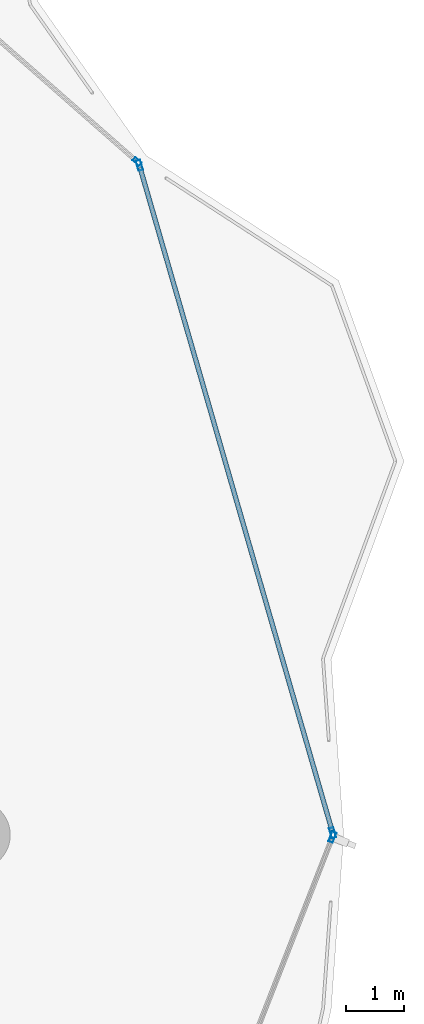
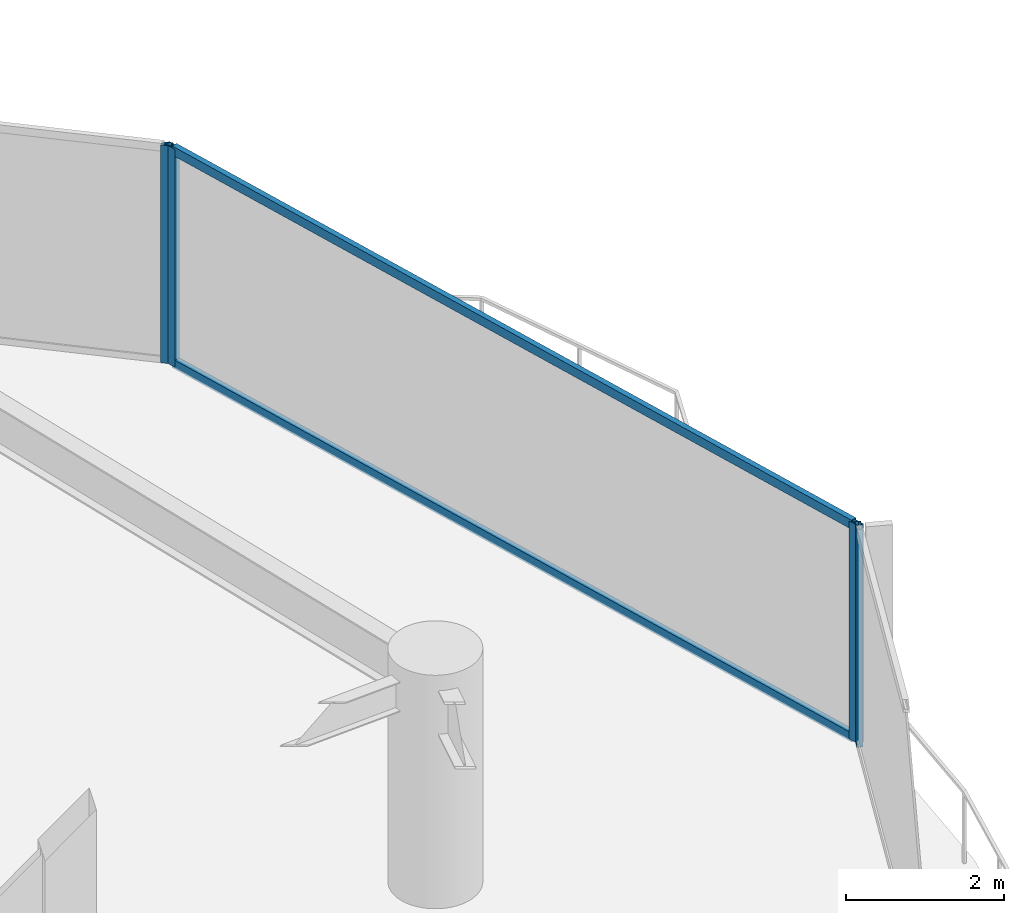
# One storey, part 24 of 34: 6 members, 3 elements without a shape of their own.
"""IFC4 building model written with IfcOpenShell, lengths in metres."""

from ifc_helpers import new_model, si_unit, direction, frame, origin, origin_2d, place, context, subcontext, project, spatial, hollow_rectangle, extrude, material, layer, layer_set, material_profile, profile_set, type_object, element, aggregate, save


model = new_model("IFC4")

# Units and contexts
model_context = context("Model", 3, precision=1e-05, world=origin(), true_north=direction((0.0, 1.0)))
body_context = subcontext(model_context, "Body", "Model", "MODEL_VIEW")
ifc_project = project(units=[si_unit("LENGTHUNIT", "METRE"), si_unit("AREAUNIT", "SQUARE_METRE"), si_unit("VOLUMEUNIT", "CUBIC_METRE"), si_unit("PLANEANGLEUNIT", "RADIAN"), si_unit("MASSUNIT", "GRAM", prefix="KILO")], contexts=[model_context])

# Site, building, storey
site_placement = place(None, origin())
site = spatial("IfcSite", under=ifc_project, at=site_placement, CompositionType="ELEMENT")
building_placement = place(site_placement, origin())
building = spatial("IfcBuilding", under=site, at=building_placement, Name="Kazevale Care Tower and Concert Hall", CompositionType="ELEMENT")
storey_placement = place(building_placement, frame((0.0, 0.0, 163.800048828125)))
storey = spatial("IfcBuildingStorey", under=building, at=storey_placement, Name="L43", CompositionType="ELEMENT", Elevation=163.800048828125)

# Curtain wall, member
ifc_material_1 = material(Name="Aluminium 6063-T6 and Low-E Glass", Category="aluminium")
ifc_layer_1 = layer(ifc_material_1, 0.179931640625)
ifc_layer_set_1 = layer_set([ifc_layer_1], Name="Aluminium 6063-T6 and Low-E Glass")
curtain_wall_type_1 = type_object("IfcCurtainWallType", Name="Convex Recessed Sunroom Curtain Wall CW-3", PredefinedType="NOTDEFINED", material=ifc_layer_set_1)
curtain_wall_1_placement = place(storey_placement, origin())
curtain_wall_1 = element("IfcCurtainWall", 1, at=curtain_wall_1_placement, inside=storey, type_object=curtain_wall_type_1, Name="cw:L43:f17", PredefinedType="NOTDEFINED")
ifc_material_2 = material(Name="Aluminium 6063-T6", Category="aluminium")
ifc_material_profile_1 = material_profile(ifc_material_2, hollow_rectangle(XDim=0.074951171875, YDim=0.14990234375, WallThickness=0.00390625, at=origin_2d()), Name="ALU75x150x4")
ifc_profile_set_1 = profile_set([ifc_material_profile_1], Name="Aluminium 6063-T6")
member_type_1 = type_object("IfcMemberType", Name="CW-3 Mullion ALU75x150x4", PredefinedType="MULLION", material=ifc_profile_set_1)
member_1_placement = place(storey_placement, frame((75.837890625, 49.607666015625, 0.0), z_axis=(0.0, 0.0, 1.0), x_axis=(0.659891732197, 0.751360700182, 0.0)))
member_1 = element("IfcMember", 2, at=member_1_placement, type_object=member_type_1, Name="CW-3 mullion 2", PredefinedType="MULLION", context=body_context, shape_type="SweptSolid", body=[
    extrude(hollow_rectangle(XDim=0.074951171875, YDim=0.14990234375, WallThickness=0.00390625, at=origin_2d()), origin(), (0.0, 0.0, 1.0), 3.35986328125),
])
aggregate(curtain_wall_1, [member_1])

ifc_layer_2 = layer(ifc_material_1, 0.179931640625)
ifc_layer_set_2 = layer_set([ifc_layer_2], Name="Aluminium 6063-T6 and Low-E Glass")
curtain_wall_type_2 = type_object("IfcCurtainWallType", Name="Waist & Upper Residential Curtain Wall CW-4", PredefinedType="NOTDEFINED", material=ifc_layer_set_2)
curtain_wall_2_placement = place(storey_placement, origin())
curtain_wall_2 = element("IfcCurtainWall", 3, at=curtain_wall_2_placement, inside=storey, type_object=curtain_wall_type_2, Name="cw:L43:f01", PredefinedType="NOTDEFINED")
ifc_material_profile_2 = material_profile(ifc_material_2, hollow_rectangle(XDim=0.080078125, YDim=0.179931640625, WallThickness=0.0048828125, at=origin_2d()), Name="ALU80x180x5")
ifc_profile_set_2 = profile_set([ifc_material_profile_2], Name="Aluminium 6063-T6")
member_type_2 = type_object("IfcMemberType", Name="CW-4 Mullion ALU80x180x5", PredefinedType="MULLION", material=ifc_profile_set_2)
member_2_placement = place(storey_placement, frame((79.205322265625, 37.962646484375, 0.0), z_axis=(0.0, 0.0, 1.0), x_axis=(0.931351746651, -0.36412075471, 0.0)))
member_2 = element("IfcMember", 4, at=member_2_placement, type_object=member_type_2, Name="CW-4 mullion 1", PredefinedType="MULLION", context=body_context, shape_type="SweptSolid", body=[
    extrude(hollow_rectangle(XDim=0.080078125, YDim=0.179931640625, WallThickness=0.0048828125, at=origin_2d()), origin(), (0.0, 0.0, 1.0), 3.35986328125),
])
aggregate(curtain_wall_2, [member_2])

# Curtain wall, members
curtain_wall_3_placement = place(storey_placement, origin())
curtain_wall_3 = element("IfcCurtainWall", 5, at=curtain_wall_3_placement, inside=storey, type_object=curtain_wall_type_2, Name="cw:L43:f18", PredefinedType="NOTDEFINED")
member_3_placement = place(storey_placement, frame((75.877197265625, 49.544677734375, 0.0), z_axis=(0.0, 0.0, 1.0), x_axis=(0.960541529182, 0.278136604418, 0.0)))
member_3 = element("IfcMember", 6, at=member_3_placement, type_object=member_type_2, Name="CW-4 mullion 1", PredefinedType="MULLION", context=body_context, shape_type="SweptSolid", body=[
    extrude(hollow_rectangle(XDim=0.080078125, YDim=0.179931640625, WallThickness=0.0048828125, at=origin_2d()), origin(), (0.0, 0.0, 1.0), 3.35986328125),
])
member_4_placement = place(storey_placement, frame((79.208984375, 38.038330078125, 0.0), z_axis=(0.0, 0.0, 1.0), x_axis=(0.960541529182, 0.278136604418, 0.0)))
member_4 = element("IfcMember", 7, at=member_4_placement, type_object=member_type_2, Name="CW-4 mullion 2", PredefinedType="MULLION", context=body_context, shape_type="SweptSolid", body=[
    extrude(hollow_rectangle(XDim=0.080078125, YDim=0.179931640625, WallThickness=0.0048828125, at=origin_2d()), origin(), (0.0, 0.0, 1.0), 3.35986328125),
])
ifc_material_profile_3 = material_profile(ifc_material_2, hollow_rectangle(XDim=0.080078125, YDim=0.139892578125, WallThickness=0.00390625, at=origin_2d()), Name="ALU80x140x4")
ifc_profile_set_3 = profile_set([ifc_material_profile_3], Name="Aluminium 6063-T6")
member_type_3 = type_object("IfcMemberType", Name="CW-4 Transom ALU80x140x4", PredefinedType="USERDEFINED", material=ifc_profile_set_3)
member_5_placement = place(storey_placement, frame((75.88818359375, 49.506103515625, 0.0400390625), z_axis=(0.278144763179, -0.960539166675, 0.0), x_axis=(0.960539166675, 0.278144763179, 0.0)))
member_5 = element("IfcMember", 8, at=member_5_placement, type_object=member_type_3, Name="CW-4 transom 1.1", ObjectType="TRANSOM", PredefinedType="USERDEFINED", context=body_context, shape_type="SweptSolid", body=[
    extrude(hollow_rectangle(XDim=0.080078125, YDim=0.139892578125, WallThickness=0.00390625, at=origin_2d()), origin(), (0.0, 0.0, 1.0), 11.898681640625),
])
member_6_placement = place(storey_placement, frame((75.88818359375, 49.506103515625, 3.320068359375), z_axis=(0.278144763179, -0.960539166675, 0.0), x_axis=(0.960539166675, 0.278144763179, 0.0)))
member_6 = element("IfcMember", 9, at=member_6_placement, type_object=member_type_3, Name="CW-4 transom 1.2", ObjectType="TRANSOM", PredefinedType="USERDEFINED", context=body_context, shape_type="SweptSolid", body=[
    extrude(hollow_rectangle(XDim=0.080078125, YDim=0.139892578125, WallThickness=0.00390625, at=origin_2d()), origin(), (0.0, 0.0, 1.0), 11.898681640625),
])
aggregate(curtain_wall_3, [member_3, member_4, member_5, member_6])

save(model, "model.ifc")
